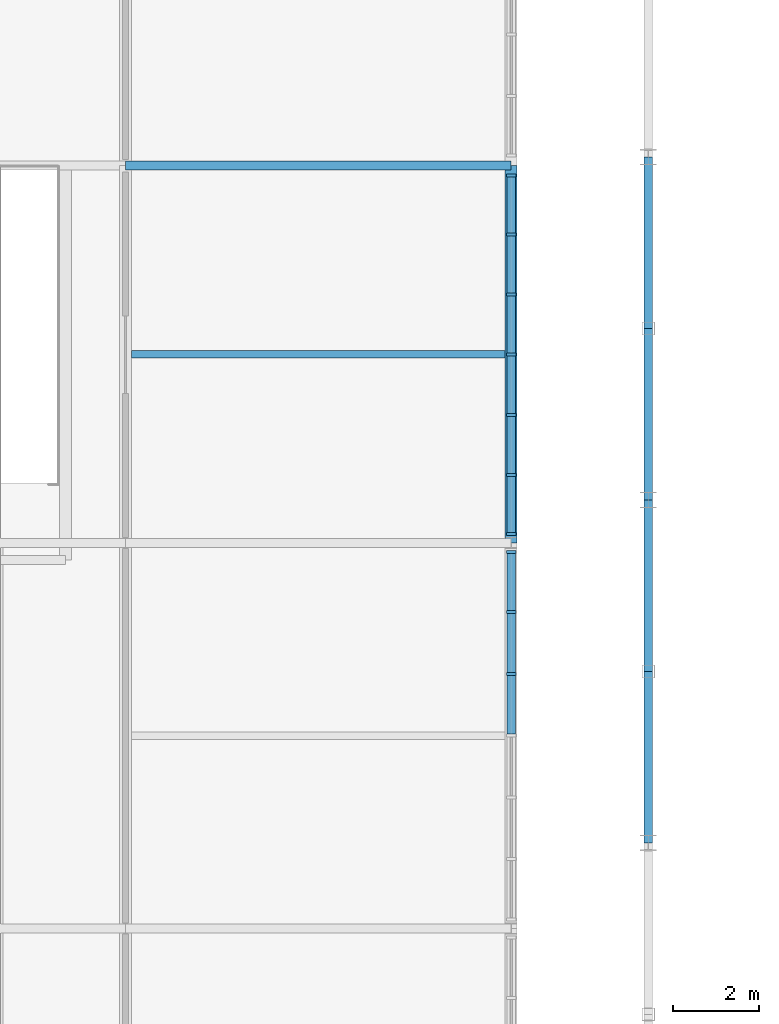
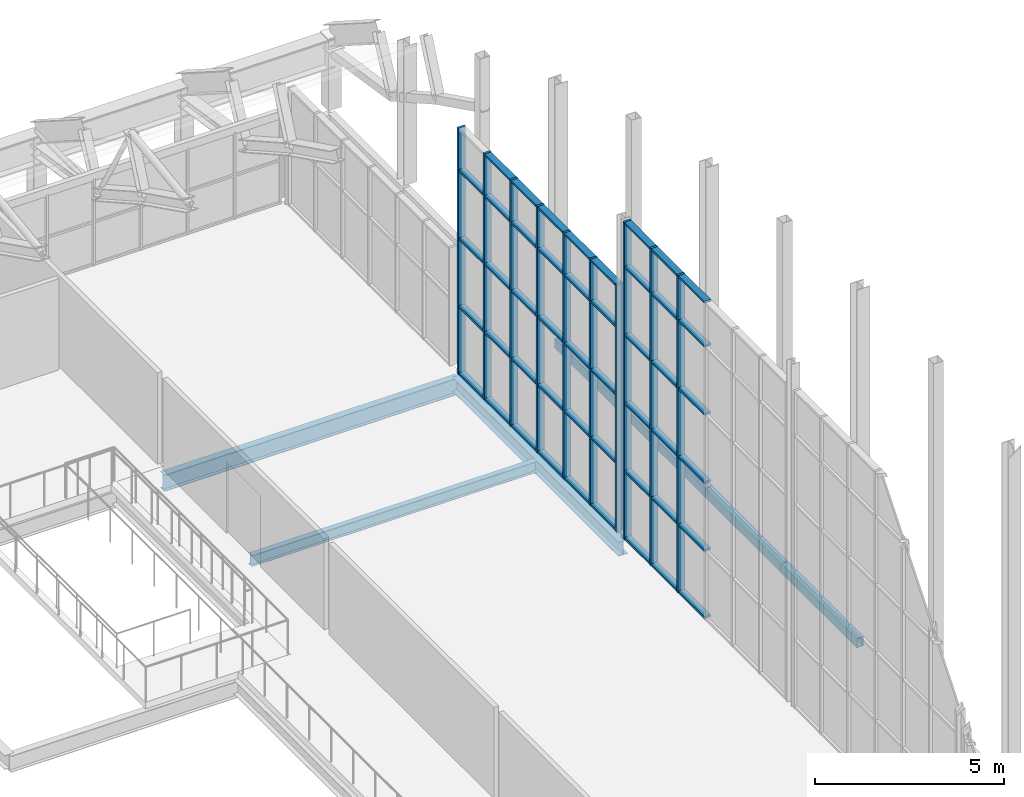
# One storey, part 87 of 134: 57 members, 7 beams, 2 elements without a shape of their own.
"""IFC4 building model written with IfcOpenShell, lengths in metres."""

from ifc_helpers import new_model, si_unit, direction, frame, origin, origin_2d, place, context, subcontext, project, spatial, rectangle, hollow_rectangle, i_section, extrude, material, layer, layer_set, material_profile, profile_set, type_object, element, aggregate, save


model = new_model("IFC4")

# Units and contexts
model_context = context("Model", 3, precision=1e-05, world=origin(), true_north=direction((0.0, 1.0)))
body_context = subcontext(model_context, "Body", "Model", "MODEL_VIEW")
ifc_project = project(units=[si_unit("LENGTHUNIT", "METRE"), si_unit("AREAUNIT", "SQUARE_METRE"), si_unit("VOLUMEUNIT", "CUBIC_METRE"), si_unit("PLANEANGLEUNIT", "RADIAN"), si_unit("MASSUNIT", "GRAM", prefix="KILO")], contexts=[model_context])

# Site, building, storey
site_placement = place(None, origin())
site = spatial("IfcSite", under=ifc_project, at=site_placement, CompositionType="ELEMENT")
building_placement = place(site_placement, origin())
building = spatial("IfcBuilding", under=site, at=building_placement, Name="Cazmaro Siding Exhibition Halls", CompositionType="ELEMENT")
storey_placement = place(building_placement, frame((0.0, 0.0, 12.0)))
storey = spatial("IfcBuildingStorey", under=building, at=storey_placement, Name="L02", CompositionType="ELEMENT", Elevation=12.0)

# Beams
ifc_material_1 = material(Name="Steel ASTM A992 Grade 50", Category="steel")
ifc_material_profile_1 = material_profile(ifc_material_1, i_section(OverallWidth=0.2099609375, OverallDepth=0.535888671875, WebThickness=0.010986328125, FlangeThickness=0.01708984375, at=origin_2d()), Name="W21X68")
ifc_profile_set_1 = profile_set([ifc_material_profile_1], Name="Steel ASTM A992 Grade 50")
beam_type_1 = type_object("IfcBeamType", Name="B-02", PredefinedType="BEAM", material=ifc_profile_set_1)
beam_1_placement = place(storey_placement, frame((158.800048828125, 111.800048828125, -0.488037109375), z_axis=(1.0, 0.0, 0.0), x_axis=(0.0, 1.0, 0.0)))
element("IfcBeam", 1, at=beam_1_placement, inside=storey, type_object=beam_type_1, Name="Beam B-02 BM-0434", PredefinedType="BEAM", context=body_context, shape_type="SweptSolid", body=[
    extrude(i_section(OverallWidth=0.2099609375, OverallDepth=0.535888671875, WebThickness=0.010986328125, FlangeThickness=0.01708984375, at=origin_2d()), origin(), (0.0, 0.0, 1.0), 9.0),
])
ifc_material_2 = material(Name="Steel ASTM A992 Grade 50", Category="steel")
ifc_material_profile_2 = material_profile(ifc_material_2, i_section(OverallWidth=0.279052734375, OverallDepth=0.4619140625, WebThickness=0.010986328125, FlangeThickness=0.01708984375, at=origin_2d()), Name="W18X76")
ifc_profile_set_2 = profile_set([ifc_material_profile_2], Name="Steel ASTM A992 Grade 50")
beam_type_2 = type_object("IfcBeamType", Name="B-03", PredefinedType="BEAM", material=ifc_profile_set_2)
beam_2_placement = place(storey_placement, frame((167.800048828125, 103.0, -0.450927734375), z_axis=(0.0, 1.0, 0.0), x_axis=(-1.0, 0.0, 0.0)))
element("IfcBeam", 2, at=beam_2_placement, inside=storey, type_object=beam_type_2, Name="Beam B-03 BM-0529", PredefinedType="BEAM", context=body_context, shape_type="SweptSolid", body=[
    extrude(i_section(OverallWidth=0.279052734375, OverallDepth=0.4619140625, WebThickness=0.010986328125, FlangeThickness=0.01708984375, at=origin_2d()), origin(), (0.0, 0.0, 1.0), 8.800048828125),
])

# Curtain wall, members
ifc_material_3 = material(Name="Anodized Bronze Aluminum and Solar-Control Low-E Glazing", Category="aluminium")
ifc_layer = layer(ifc_material_3, 0.219970703125)
ifc_layer_set = layer_set([ifc_layer], Name="Anodized Bronze Aluminum and Solar-Control Low-E Glazing")
curtain_wall_type = type_object("IfcCurtainWallType", Name="CWS-03", PredefinedType="USERDEFINED", material=ifc_layer_set)
curtain_wall_1_placement = place(storey_placement, origin())
curtain_wall_1 = element("IfcCurtainWall", 3, at=curtain_wall_1_placement, inside=storey, type_object=curtain_wall_type, Name="Glazed Curtain Wall CWS-03 CW-073", ObjectType="GLAZED CURTAIN WALL", PredefinedType="USERDEFINED")
ifc_material_4 = material(Name="Anodized Bronze Extruded Aluminum", Category="aluminium")
ifc_material_profile_3 = material_profile(ifc_material_4, rectangle(XDim=0.219970703125, YDim=0.070068359375, at=origin_2d()), Name="CWM-03")
ifc_profile_set_3 = profile_set([ifc_material_profile_3], Name="Anodized Bronze Extruded Aluminum")
member_type_1 = type_object("IfcMemberType", Name="CWM-03", PredefinedType="MULLION", material=ifc_profile_set_3)
member_1_placement = place(storey_placement, frame((167.800048828125, 99.94091796875, 0.0), z_axis=(0.0, 0.0, 1.0), x_axis=(-1.0, 0.0, 0.0)))
member_1 = element("IfcMember", 4, at=member_1_placement, type_object=member_type_1, Name="CWS-03 mullion 5", PredefinedType="MULLION", context=body_context, shape_type="SweptSolid", body=[
    extrude(rectangle(XDim=0.219970703125, YDim=0.070068359375, at=origin_2d()), origin(), (0.0, 0.0, 1.0), 10.258056640625),
])
member_2_placement = place(storey_placement, frame((167.800048828125, 101.382080078125, 0.0), z_axis=(0.0, 0.0, 1.0), x_axis=(-1.0, 0.0, 0.0)))
member_2 = element("IfcMember", 5, at=member_2_placement, type_object=member_type_1, Name="CWS-03 mullion 6", PredefinedType="MULLION", context=body_context, shape_type="SweptSolid", body=[
    extrude(rectangle(XDim=0.219970703125, YDim=0.070068359375, at=origin_2d()), origin(), (0.0, 0.0, 1.0), 10.258056640625),
])
member_3_placement = place(storey_placement, frame((167.800048828125, 102.7880859375, 0.0), z_axis=(0.0, 0.0, 1.0), x_axis=(-1.0, 0.0, 0.0)))
member_3 = element("IfcMember", 6, at=member_3_placement, type_object=member_type_1, Name="CWS-03 mullion 7", PredefinedType="MULLION", context=body_context, shape_type="SweptSolid", body=[
    extrude(rectangle(XDim=0.219970703125, YDim=0.070068359375, at=origin_2d()), origin(), (0.0, 0.0, 1.0), 10.258056640625),
])

curtain_wall_2_placement = place(storey_placement, origin())
curtain_wall_2 = element("IfcCurtainWall", 7, at=curtain_wall_2_placement, inside=storey, type_object=curtain_wall_type, Name="Glazed Curtain Wall CWS-03 CW-076", ObjectType="GLAZED CURTAIN WALL", PredefinedType="USERDEFINED")
member_4_placement = place(storey_placement, frame((167.800048828125, 103.2119140625, 0.0), z_axis=(0.0, 0.0, 1.0), x_axis=(-1.0, 0.0, 0.0)))
member_4 = element("IfcMember", 8, at=member_4_placement, type_object=member_type_1, Name="CWS-03 mullion 1", PredefinedType="MULLION", context=body_context, shape_type="SweptSolid", body=[
    extrude(rectangle(XDim=0.219970703125, YDim=0.070068359375, at=origin_2d()), origin(), (0.0, 0.0, 1.0), 7.972900390625),
])
member_5_placement = place(storey_placement, frame((167.800048828125, 104.5810546875, 0.0), z_axis=(0.0, 0.0, 1.0), x_axis=(-1.0, 0.0, 0.0)))
member_5 = element("IfcMember", 9, at=member_5_placement, type_object=member_type_1, Name="CWS-03 mullion 2", PredefinedType="MULLION", context=body_context, shape_type="SweptSolid", body=[
    extrude(rectangle(XDim=0.219970703125, YDim=0.070068359375, at=origin_2d()), origin(), (0.0, 0.0, 1.0), 7.972900390625),
])
member_6_placement = place(storey_placement, frame((167.800048828125, 105.9853515625, 0.0), z_axis=(0.0, 0.0, 1.0), x_axis=(-1.0, 0.0, 0.0)))
member_6 = element("IfcMember", 10, at=member_6_placement, type_object=member_type_1, Name="CWS-03 mullion 3", PredefinedType="MULLION", context=body_context, shape_type="SweptSolid", body=[
    extrude(rectangle(XDim=0.219970703125, YDim=0.070068359375, at=origin_2d()), origin(), (0.0, 0.0, 1.0), 7.972900390625),
])
member_7_placement = place(storey_placement, frame((167.800048828125, 107.389404296875, 0.0), z_axis=(0.0, 0.0, 1.0), x_axis=(-1.0, 0.0, 0.0)))
member_7 = element("IfcMember", 11, at=member_7_placement, type_object=member_type_1, Name="CWS-03 mullion 4", PredefinedType="MULLION", context=body_context, shape_type="SweptSolid", body=[
    extrude(rectangle(XDim=0.219970703125, YDim=0.070068359375, at=origin_2d()), origin(), (0.0, 0.0, 1.0), 7.972900390625),
])
member_8_placement = place(storey_placement, frame((167.800048828125, 108.793701171875, 0.0), z_axis=(0.0, 0.0, 1.0), x_axis=(-1.0, 0.0, 0.0)))
member_8 = element("IfcMember", 12, at=member_8_placement, type_object=member_type_1, Name="CWS-03 mullion 5", PredefinedType="MULLION", context=body_context, shape_type="SweptSolid", body=[
    extrude(rectangle(XDim=0.219970703125, YDim=0.070068359375, at=origin_2d()), origin(), (0.0, 0.0, 1.0), 7.972900390625),
])
member_9_placement = place(storey_placement, frame((167.800048828125, 110.19775390625, 0.0), z_axis=(0.0, 0.0, 1.0), x_axis=(-1.0, 0.0, 0.0)))
member_9 = element("IfcMember", 13, at=member_9_placement, type_object=member_type_1, Name="CWS-03 mullion 6", PredefinedType="MULLION", context=body_context, shape_type="SweptSolid", body=[
    extrude(rectangle(XDim=0.219970703125, YDim=0.070068359375, at=origin_2d()), origin(), (0.0, 0.0, 1.0), 7.972900390625),
])
member_10_placement = place(storey_placement, frame((167.800048828125, 111.56689453125, 0.0), z_axis=(0.0, 0.0, 1.0), x_axis=(-1.0, 0.0, 0.0)))
member_10 = element("IfcMember", 14, at=member_10_placement, type_object=member_type_1, Name="CWS-03 mullion 7", PredefinedType="MULLION", context=body_context, shape_type="SweptSolid", body=[
    extrude(rectangle(XDim=0.219970703125, YDim=0.070068359375, at=origin_2d()), origin(), (0.0, 0.0, 1.0), 7.972900390625),
])

# Member
ifc_material_5 = material(Name="Anodized Bronze Extruded Aluminum", Category="aluminium")
ifc_material_profile_4 = material_profile(ifc_material_5, rectangle(XDim=0.199951171875, YDim=0.070068359375, at=origin_2d()), Name="CWT-03")
ifc_profile_set_4 = profile_set([ifc_material_profile_4], Name="Anodized Bronze Extruded Aluminum")
member_type_2 = type_object("IfcMemberType", Name="CWT-03", PredefinedType="MULLION", material=ifc_profile_set_4)
member_11_placement = place(storey_placement, frame((167.800048828125, 98.534912109375, 0.034912109375), z_axis=(0.0, 1.0, 0.0), x_axis=(-1.0, 0.0, 0.0)))
member_11 = element("IfcMember", 15, at=member_11_placement, type_object=member_type_2, Name="CWS-03 transom 4.1", ObjectType="TRANSOM", PredefinedType="USERDEFINED", context=body_context, shape_type="SweptSolid", body=[
    extrude(rectangle(XDim=0.199951171875, YDim=0.070068359375, at=origin_2d()), origin(), (0.0, 0.0, 1.0), 1.37109375),
])

member_12_placement = place(storey_placement, frame((167.800048828125, 98.534912109375, 2.199951171875), z_axis=(0.0, 1.0, 0.0), x_axis=(-1.0, 0.0, 0.0)))
member_12 = element("IfcMember", 16, at=member_12_placement, type_object=member_type_2, Name="CWS-03 transom 4.2", ObjectType="TRANSOM", PredefinedType="USERDEFINED", context=body_context, shape_type="SweptSolid", body=[
    extrude(rectangle(XDim=0.199951171875, YDim=0.070068359375, at=origin_2d()), origin(), (0.0, 0.0, 1.0), 1.37109375),
])

member_13_placement = place(storey_placement, frame((167.800048828125, 98.534912109375, 4.39990234375), z_axis=(0.0, 1.0, 0.0), x_axis=(-1.0, 0.0, 0.0)))
member_13 = element("IfcMember", 17, at=member_13_placement, type_object=member_type_2, Name="CWS-03 transom 4.3", ObjectType="TRANSOM", PredefinedType="USERDEFINED", context=body_context, shape_type="SweptSolid", body=[
    extrude(rectangle(XDim=0.199951171875, YDim=0.070068359375, at=origin_2d()), origin(), (0.0, 0.0, 1.0), 1.37109375),
])

member_14_placement = place(storey_placement, frame((167.800048828125, 98.534912109375, 6.60009765625), z_axis=(0.0, 1.0, 0.0), x_axis=(-1.0, 0.0, 0.0)))
member_14 = element("IfcMember", 18, at=member_14_placement, type_object=member_type_2, Name="CWS-03 transom 4.4", ObjectType="TRANSOM", PredefinedType="USERDEFINED", context=body_context, shape_type="SweptSolid", body=[
    extrude(rectangle(XDim=0.199951171875, YDim=0.070068359375, at=origin_2d()), origin(), (0.0, 0.0, 1.0), 1.37109375),
])

member_15_placement = place(storey_placement, frame((167.800048828125, 98.534912109375, 8.800048828125), z_axis=(0.0, 1.0, 0.0), x_axis=(-1.0, 0.0, 0.0)))
member_15 = element("IfcMember", 19, at=member_15_placement, type_object=member_type_2, Name="CWS-03 transom 4.5", ObjectType="TRANSOM", PredefinedType="USERDEFINED", context=body_context, shape_type="SweptSolid", body=[
    extrude(rectangle(XDim=0.199951171875, YDim=0.070068359375, at=origin_2d()), origin(), (0.0, 0.0, 1.0), 1.37109375),
])

member_16_placement = place(storey_placement, frame((167.800048828125, 98.534912109375, 10.222900390625), z_axis=(0.0, 1.0, 0.0), x_axis=(-1.0, 0.0, 0.0)))
member_16 = element("IfcMember", 20, at=member_16_placement, type_object=member_type_2, Name="CWS-03 transom 4.6", ObjectType="TRANSOM", PredefinedType="USERDEFINED", context=body_context, shape_type="SweptSolid", body=[
    extrude(rectangle(XDim=0.199951171875, YDim=0.070068359375, at=origin_2d()), origin(), (0.0, 0.0, 1.0), 1.37109375),
])

member_17_placement = place(storey_placement, frame((167.800048828125, 99.97607421875, 0.034912109375), z_axis=(0.0, 1.0, 0.0), x_axis=(-1.0, 0.0, 0.0)))
member_17 = element("IfcMember", 21, at=member_17_placement, type_object=member_type_2, Name="CWS-03 transom 5.1", ObjectType="TRANSOM", PredefinedType="USERDEFINED", context=body_context, shape_type="SweptSolid", body=[
    extrude(rectangle(XDim=0.199951171875, YDim=0.070068359375, at=origin_2d()), origin(), (0.0, 0.0, 1.0), 1.370849609375),
])

member_18_placement = place(storey_placement, frame((167.800048828125, 99.97607421875, 2.199951171875), z_axis=(0.0, 1.0, 0.0), x_axis=(-1.0, 0.0, 0.0)))
member_18 = element("IfcMember", 22, at=member_18_placement, type_object=member_type_2, Name="CWS-03 transom 5.2", ObjectType="TRANSOM", PredefinedType="USERDEFINED", context=body_context, shape_type="SweptSolid", body=[
    extrude(rectangle(XDim=0.199951171875, YDim=0.070068359375, at=origin_2d()), origin(), (0.0, 0.0, 1.0), 1.370849609375),
])

member_19_placement = place(storey_placement, frame((167.800048828125, 99.97607421875, 4.39990234375), z_axis=(0.0, 1.0, 0.0), x_axis=(-1.0, 0.0, 0.0)))
member_19 = element("IfcMember", 23, at=member_19_placement, type_object=member_type_2, Name="CWS-03 transom 5.3", ObjectType="TRANSOM", PredefinedType="USERDEFINED", context=body_context, shape_type="SweptSolid", body=[
    extrude(rectangle(XDim=0.199951171875, YDim=0.070068359375, at=origin_2d()), origin(), (0.0, 0.0, 1.0), 1.370849609375),
])

member_20_placement = place(storey_placement, frame((167.800048828125, 99.97607421875, 6.60009765625), z_axis=(0.0, 1.0, 0.0), x_axis=(-1.0, 0.0, 0.0)))
member_20 = element("IfcMember", 24, at=member_20_placement, type_object=member_type_2, Name="CWS-03 transom 5.4", ObjectType="TRANSOM", PredefinedType="USERDEFINED", context=body_context, shape_type="SweptSolid", body=[
    extrude(rectangle(XDim=0.199951171875, YDim=0.070068359375, at=origin_2d()), origin(), (0.0, 0.0, 1.0), 1.370849609375),
])

member_21_placement = place(storey_placement, frame((167.800048828125, 99.97607421875, 8.800048828125), z_axis=(0.0, 1.0, 0.0), x_axis=(-1.0, 0.0, 0.0)))
member_21 = element("IfcMember", 25, at=member_21_placement, type_object=member_type_2, Name="CWS-03 transom 5.5", ObjectType="TRANSOM", PredefinedType="USERDEFINED", context=body_context, shape_type="SweptSolid", body=[
    extrude(rectangle(XDim=0.199951171875, YDim=0.070068359375, at=origin_2d()), origin(), (0.0, 0.0, 1.0), 1.370849609375),
])

member_22_placement = place(storey_placement, frame((167.800048828125, 99.97607421875, 10.222900390625), z_axis=(0.0, 1.0, 0.0), x_axis=(-1.0, 0.0, 0.0)))
member_22 = element("IfcMember", 26, at=member_22_placement, type_object=member_type_2, Name="CWS-03 transom 5.6", ObjectType="TRANSOM", PredefinedType="USERDEFINED", context=body_context, shape_type="SweptSolid", body=[
    extrude(rectangle(XDim=0.199951171875, YDim=0.070068359375, at=origin_2d()), origin(), (0.0, 0.0, 1.0), 1.370849609375),
])

member_23_placement = place(storey_placement, frame((167.800048828125, 101.4169921875, 0.034912109375), z_axis=(0.0, 1.0, 0.0), x_axis=(-1.0, 0.0, 0.0)))
member_23 = element("IfcMember", 27, at=member_23_placement, type_object=member_type_2, Name="CWS-03 transom 6.1", ObjectType="TRANSOM", PredefinedType="USERDEFINED", context=body_context, shape_type="SweptSolid", body=[
    extrude(rectangle(XDim=0.199951171875, YDim=0.070068359375, at=origin_2d()), origin(), (0.0, 0.0, 1.0), 1.3359375),
])

member_24_placement = place(storey_placement, frame((167.800048828125, 101.4169921875, 2.199951171875), z_axis=(0.0, 1.0, 0.0), x_axis=(-1.0, 0.0, 0.0)))
member_24 = element("IfcMember", 28, at=member_24_placement, type_object=member_type_2, Name="CWS-03 transom 6.2", ObjectType="TRANSOM", PredefinedType="USERDEFINED", context=body_context, shape_type="SweptSolid", body=[
    extrude(rectangle(XDim=0.199951171875, YDim=0.070068359375, at=origin_2d()), origin(), (0.0, 0.0, 1.0), 1.3359375),
])

member_25_placement = place(storey_placement, frame((167.800048828125, 101.4169921875, 4.39990234375), z_axis=(0.0, 1.0, 0.0), x_axis=(-1.0, 0.0, 0.0)))
member_25 = element("IfcMember", 29, at=member_25_placement, type_object=member_type_2, Name="CWS-03 transom 6.3", ObjectType="TRANSOM", PredefinedType="USERDEFINED", context=body_context, shape_type="SweptSolid", body=[
    extrude(rectangle(XDim=0.199951171875, YDim=0.070068359375, at=origin_2d()), origin(), (0.0, 0.0, 1.0), 1.3359375),
])

member_26_placement = place(storey_placement, frame((167.800048828125, 101.4169921875, 6.60009765625), z_axis=(0.0, 1.0, 0.0), x_axis=(-1.0, 0.0, 0.0)))
member_26 = element("IfcMember", 30, at=member_26_placement, type_object=member_type_2, Name="CWS-03 transom 6.4", ObjectType="TRANSOM", PredefinedType="USERDEFINED", context=body_context, shape_type="SweptSolid", body=[
    extrude(rectangle(XDim=0.199951171875, YDim=0.070068359375, at=origin_2d()), origin(), (0.0, 0.0, 1.0), 1.3359375),
])

member_27_placement = place(storey_placement, frame((167.800048828125, 101.4169921875, 8.800048828125), z_axis=(0.0, 1.0, 0.0), x_axis=(-1.0, 0.0, 0.0)))
member_27 = element("IfcMember", 31, at=member_27_placement, type_object=member_type_2, Name="CWS-03 transom 6.5", ObjectType="TRANSOM", PredefinedType="USERDEFINED", context=body_context, shape_type="SweptSolid", body=[
    extrude(rectangle(XDim=0.199951171875, YDim=0.070068359375, at=origin_2d()), origin(), (0.0, 0.0, 1.0), 1.3359375),
])

member_28_placement = place(storey_placement, frame((167.800048828125, 101.4169921875, 10.222900390625), z_axis=(0.0, 1.0, 0.0), x_axis=(-1.0, 0.0, 0.0)))
member_28 = element("IfcMember", 32, at=member_28_placement, type_object=member_type_2, Name="CWS-03 transom 6.6", ObjectType="TRANSOM", PredefinedType="USERDEFINED", context=body_context, shape_type="SweptSolid", body=[
    extrude(rectangle(XDim=0.199951171875, YDim=0.070068359375, at=origin_2d()), origin(), (0.0, 0.0, 1.0), 1.3359375),
])

aggregate(curtain_wall_1, [member_1, member_2, member_3, member_11, member_12, member_13, member_14, member_15, member_16, member_17, member_18, member_19, member_20, member_21, member_22, member_23, member_24, member_25, member_26, member_27, member_28])

member_29_placement = place(storey_placement, frame((167.800048828125, 103.2470703125, 0.034912109375), z_axis=(0.0, 1.0, 0.0), x_axis=(-1.0, 0.0, 0.0)))
member_29 = element("IfcMember", 33, at=member_29_placement, type_object=member_type_2, Name="CWS-03 transom 1.1", ObjectType="TRANSOM", PredefinedType="USERDEFINED", context=body_context, shape_type="SweptSolid", body=[
    extrude(rectangle(XDim=0.199951171875, YDim=0.070068359375, at=origin_2d()), origin(), (0.0, 0.0, 1.0), 1.299072265625),
])

member_30_placement = place(storey_placement, frame((167.800048828125, 103.2470703125, 2.199951171875), z_axis=(0.0, 1.0, 0.0), x_axis=(-1.0, 0.0, 0.0)))
member_30 = element("IfcMember", 34, at=member_30_placement, type_object=member_type_2, Name="CWS-03 transom 1.2", ObjectType="TRANSOM", PredefinedType="USERDEFINED", context=body_context, shape_type="SweptSolid", body=[
    extrude(rectangle(XDim=0.199951171875, YDim=0.070068359375, at=origin_2d()), origin(), (0.0, 0.0, 1.0), 1.299072265625),
])

member_31_placement = place(storey_placement, frame((167.800048828125, 103.2470703125, 4.39990234375), z_axis=(0.0, 1.0, 0.0), x_axis=(-1.0, 0.0, 0.0)))
member_31 = element("IfcMember", 35, at=member_31_placement, type_object=member_type_2, Name="CWS-03 transom 1.3", ObjectType="TRANSOM", PredefinedType="USERDEFINED", context=body_context, shape_type="SweptSolid", body=[
    extrude(rectangle(XDim=0.199951171875, YDim=0.070068359375, at=origin_2d()), origin(), (0.0, 0.0, 1.0), 1.299072265625),
])

member_32_placement = place(storey_placement, frame((167.800048828125, 103.2470703125, 6.60009765625), z_axis=(0.0, 1.0, 0.0), x_axis=(-1.0, 0.0, 0.0)))
member_32 = element("IfcMember", 36, at=member_32_placement, type_object=member_type_2, Name="CWS-03 transom 1.4", ObjectType="TRANSOM", PredefinedType="USERDEFINED", context=body_context, shape_type="SweptSolid", body=[
    extrude(rectangle(XDim=0.199951171875, YDim=0.070068359375, at=origin_2d()), origin(), (0.0, 0.0, 1.0), 1.299072265625),
])

member_33_placement = place(storey_placement, frame((167.800048828125, 103.2470703125, 7.93798828125), z_axis=(0.0, 1.0, 0.0), x_axis=(-1.0, 0.0, 0.0)))
member_33 = element("IfcMember", 37, at=member_33_placement, type_object=member_type_2, Name="CWS-03 transom 1.5", ObjectType="TRANSOM", PredefinedType="USERDEFINED", context=body_context, shape_type="SweptSolid", body=[
    extrude(rectangle(XDim=0.199951171875, YDim=0.070068359375, at=origin_2d()), origin(), (0.0, 0.0, 1.0), 1.299072265625),
])

member_34_placement = place(storey_placement, frame((167.800048828125, 104.6162109375, 0.034912109375), z_axis=(0.0, 1.0, 0.0), x_axis=(-1.0, 0.0, 0.0)))
member_34 = element("IfcMember", 38, at=member_34_placement, type_object=member_type_2, Name="CWS-03 transom 2.1", ObjectType="TRANSOM", PredefinedType="USERDEFINED", context=body_context, shape_type="SweptSolid", body=[
    extrude(rectangle(XDim=0.199951171875, YDim=0.070068359375, at=origin_2d()), origin(), (0.0, 0.0, 1.0), 1.334228515625),
])

member_35_placement = place(storey_placement, frame((167.800048828125, 104.6162109375, 2.199951171875), z_axis=(0.0, 1.0, 0.0), x_axis=(-1.0, 0.0, 0.0)))
member_35 = element("IfcMember", 39, at=member_35_placement, type_object=member_type_2, Name="CWS-03 transom 2.2", ObjectType="TRANSOM", PredefinedType="USERDEFINED", context=body_context, shape_type="SweptSolid", body=[
    extrude(rectangle(XDim=0.199951171875, YDim=0.070068359375, at=origin_2d()), origin(), (0.0, 0.0, 1.0), 1.334228515625),
])

member_36_placement = place(storey_placement, frame((167.800048828125, 104.6162109375, 4.39990234375), z_axis=(0.0, 1.0, 0.0), x_axis=(-1.0, 0.0, 0.0)))
member_36 = element("IfcMember", 40, at=member_36_placement, type_object=member_type_2, Name="CWS-03 transom 2.3", ObjectType="TRANSOM", PredefinedType="USERDEFINED", context=body_context, shape_type="SweptSolid", body=[
    extrude(rectangle(XDim=0.199951171875, YDim=0.070068359375, at=origin_2d()), origin(), (0.0, 0.0, 1.0), 1.334228515625),
])

member_37_placement = place(storey_placement, frame((167.800048828125, 104.6162109375, 6.60009765625), z_axis=(0.0, 1.0, 0.0), x_axis=(-1.0, 0.0, 0.0)))
member_37 = element("IfcMember", 41, at=member_37_placement, type_object=member_type_2, Name="CWS-03 transom 2.4", ObjectType="TRANSOM", PredefinedType="USERDEFINED", context=body_context, shape_type="SweptSolid", body=[
    extrude(rectangle(XDim=0.199951171875, YDim=0.070068359375, at=origin_2d()), origin(), (0.0, 0.0, 1.0), 1.334228515625),
])

member_38_placement = place(storey_placement, frame((167.800048828125, 104.6162109375, 7.93798828125), z_axis=(0.0, 1.0, 0.0), x_axis=(-1.0, 0.0, 0.0)))
member_38 = element("IfcMember", 42, at=member_38_placement, type_object=member_type_2, Name="CWS-03 transom 2.5", ObjectType="TRANSOM", PredefinedType="USERDEFINED", context=body_context, shape_type="SweptSolid", body=[
    extrude(rectangle(XDim=0.199951171875, YDim=0.070068359375, at=origin_2d()), origin(), (0.0, 0.0, 1.0), 1.334228515625),
])

member_39_placement = place(storey_placement, frame((167.800048828125, 106.020263671875, 0.034912109375), z_axis=(0.0, 1.0, 0.0), x_axis=(-1.0, 0.0, 0.0)))
member_39 = element("IfcMember", 43, at=member_39_placement, type_object=member_type_2, Name="CWS-03 transom 3.1", ObjectType="TRANSOM", PredefinedType="USERDEFINED", context=body_context, shape_type="SweptSolid", body=[
    extrude(rectangle(XDim=0.199951171875, YDim=0.070068359375, at=origin_2d()), origin(), (0.0, 0.0, 1.0), 1.334228515625),
])

member_40_placement = place(storey_placement, frame((167.800048828125, 106.020263671875, 2.199951171875), z_axis=(0.0, 1.0, 0.0), x_axis=(-1.0, 0.0, 0.0)))
member_40 = element("IfcMember", 44, at=member_40_placement, type_object=member_type_2, Name="CWS-03 transom 3.2", ObjectType="TRANSOM", PredefinedType="USERDEFINED", context=body_context, shape_type="SweptSolid", body=[
    extrude(rectangle(XDim=0.199951171875, YDim=0.070068359375, at=origin_2d()), origin(), (0.0, 0.0, 1.0), 1.334228515625),
])

member_41_placement = place(storey_placement, frame((167.800048828125, 106.020263671875, 4.39990234375), z_axis=(0.0, 1.0, 0.0), x_axis=(-1.0, 0.0, 0.0)))
member_41 = element("IfcMember", 45, at=member_41_placement, type_object=member_type_2, Name="CWS-03 transom 3.3", ObjectType="TRANSOM", PredefinedType="USERDEFINED", context=body_context, shape_type="SweptSolid", body=[
    extrude(rectangle(XDim=0.199951171875, YDim=0.070068359375, at=origin_2d()), origin(), (0.0, 0.0, 1.0), 1.334228515625),
])

member_42_placement = place(storey_placement, frame((167.800048828125, 106.020263671875, 6.60009765625), z_axis=(0.0, 1.0, 0.0), x_axis=(-1.0, 0.0, 0.0)))
member_42 = element("IfcMember", 46, at=member_42_placement, type_object=member_type_2, Name="CWS-03 transom 3.4", ObjectType="TRANSOM", PredefinedType="USERDEFINED", context=body_context, shape_type="SweptSolid", body=[
    extrude(rectangle(XDim=0.199951171875, YDim=0.070068359375, at=origin_2d()), origin(), (0.0, 0.0, 1.0), 1.334228515625),
])

member_43_placement = place(storey_placement, frame((167.800048828125, 106.020263671875, 7.93798828125), z_axis=(0.0, 1.0, 0.0), x_axis=(-1.0, 0.0, 0.0)))
member_43 = element("IfcMember", 47, at=member_43_placement, type_object=member_type_2, Name="CWS-03 transom 3.5", ObjectType="TRANSOM", PredefinedType="USERDEFINED", context=body_context, shape_type="SweptSolid", body=[
    extrude(rectangle(XDim=0.199951171875, YDim=0.070068359375, at=origin_2d()), origin(), (0.0, 0.0, 1.0), 1.334228515625),
])

member_44_placement = place(storey_placement, frame((167.800048828125, 107.424560546875, 0.034912109375), z_axis=(0.0, 1.0, 0.0), x_axis=(-1.0, 0.0, 0.0)))
member_44 = element("IfcMember", 48, at=member_44_placement, type_object=member_type_2, Name="CWS-03 transom 4.1", ObjectType="TRANSOM", PredefinedType="USERDEFINED", context=body_context, shape_type="SweptSolid", body=[
    extrude(rectangle(XDim=0.199951171875, YDim=0.070068359375, at=origin_2d()), origin(), (0.0, 0.0, 1.0), 1.333984375),
])

member_45_placement = place(storey_placement, frame((167.800048828125, 107.424560546875, 2.199951171875), z_axis=(0.0, 1.0, 0.0), x_axis=(-1.0, 0.0, 0.0)))
member_45 = element("IfcMember", 49, at=member_45_placement, type_object=member_type_2, Name="CWS-03 transom 4.2", ObjectType="TRANSOM", PredefinedType="USERDEFINED", context=body_context, shape_type="SweptSolid", body=[
    extrude(rectangle(XDim=0.199951171875, YDim=0.070068359375, at=origin_2d()), origin(), (0.0, 0.0, 1.0), 1.333984375),
])

member_46_placement = place(storey_placement, frame((167.800048828125, 107.424560546875, 4.39990234375), z_axis=(0.0, 1.0, 0.0), x_axis=(-1.0, 0.0, 0.0)))
member_46 = element("IfcMember", 50, at=member_46_placement, type_object=member_type_2, Name="CWS-03 transom 4.3", ObjectType="TRANSOM", PredefinedType="USERDEFINED", context=body_context, shape_type="SweptSolid", body=[
    extrude(rectangle(XDim=0.199951171875, YDim=0.070068359375, at=origin_2d()), origin(), (0.0, 0.0, 1.0), 1.333984375),
])

member_47_placement = place(storey_placement, frame((167.800048828125, 107.424560546875, 6.60009765625), z_axis=(0.0, 1.0, 0.0), x_axis=(-1.0, 0.0, 0.0)))
member_47 = element("IfcMember", 51, at=member_47_placement, type_object=member_type_2, Name="CWS-03 transom 4.4", ObjectType="TRANSOM", PredefinedType="USERDEFINED", context=body_context, shape_type="SweptSolid", body=[
    extrude(rectangle(XDim=0.199951171875, YDim=0.070068359375, at=origin_2d()), origin(), (0.0, 0.0, 1.0), 1.333984375),
])

member_48_placement = place(storey_placement, frame((167.800048828125, 107.424560546875, 7.93798828125), z_axis=(0.0, 1.0, 0.0), x_axis=(-1.0, 0.0, 0.0)))
member_48 = element("IfcMember", 52, at=member_48_placement, type_object=member_type_2, Name="CWS-03 transom 4.5", ObjectType="TRANSOM", PredefinedType="USERDEFINED", context=body_context, shape_type="SweptSolid", body=[
    extrude(rectangle(XDim=0.199951171875, YDim=0.070068359375, at=origin_2d()), origin(), (0.0, 0.0, 1.0), 1.333984375),
])

member_49_placement = place(storey_placement, frame((167.800048828125, 108.82861328125, 0.034912109375), z_axis=(0.0, 1.0, 0.0), x_axis=(-1.0, 0.0, 0.0)))
member_49 = element("IfcMember", 53, at=member_49_placement, type_object=member_type_2, Name="CWS-03 transom 5.1", ObjectType="TRANSOM", PredefinedType="USERDEFINED", context=body_context, shape_type="SweptSolid", body=[
    extrude(rectangle(XDim=0.199951171875, YDim=0.070068359375, at=origin_2d()), origin(), (0.0, 0.0, 1.0), 1.334228515625),
])

member_50_placement = place(storey_placement, frame((167.800048828125, 108.82861328125, 2.199951171875), z_axis=(0.0, 1.0, 0.0), x_axis=(-1.0, 0.0, 0.0)))
member_50 = element("IfcMember", 54, at=member_50_placement, type_object=member_type_2, Name="CWS-03 transom 5.2", ObjectType="TRANSOM", PredefinedType="USERDEFINED", context=body_context, shape_type="SweptSolid", body=[
    extrude(rectangle(XDim=0.199951171875, YDim=0.070068359375, at=origin_2d()), origin(), (0.0, 0.0, 1.0), 1.334228515625),
])

member_51_placement = place(storey_placement, frame((167.800048828125, 108.82861328125, 4.39990234375), z_axis=(0.0, 1.0, 0.0), x_axis=(-1.0, 0.0, 0.0)))
member_51 = element("IfcMember", 55, at=member_51_placement, type_object=member_type_2, Name="CWS-03 transom 5.3", ObjectType="TRANSOM", PredefinedType="USERDEFINED", context=body_context, shape_type="SweptSolid", body=[
    extrude(rectangle(XDim=0.199951171875, YDim=0.070068359375, at=origin_2d()), origin(), (0.0, 0.0, 1.0), 1.334228515625),
])

member_52_placement = place(storey_placement, frame((167.800048828125, 108.82861328125, 6.60009765625), z_axis=(0.0, 1.0, 0.0), x_axis=(-1.0, 0.0, 0.0)))
member_52 = element("IfcMember", 56, at=member_52_placement, type_object=member_type_2, Name="CWS-03 transom 5.4", ObjectType="TRANSOM", PredefinedType="USERDEFINED", context=body_context, shape_type="SweptSolid", body=[
    extrude(rectangle(XDim=0.199951171875, YDim=0.070068359375, at=origin_2d()), origin(), (0.0, 0.0, 1.0), 1.334228515625),
])

member_53_placement = place(storey_placement, frame((167.800048828125, 108.82861328125, 7.93798828125), z_axis=(0.0, 1.0, 0.0), x_axis=(-1.0, 0.0, 0.0)))
member_53 = element("IfcMember", 57, at=member_53_placement, type_object=member_type_2, Name="CWS-03 transom 5.5", ObjectType="TRANSOM", PredefinedType="USERDEFINED", context=body_context, shape_type="SweptSolid", body=[
    extrude(rectangle(XDim=0.199951171875, YDim=0.070068359375, at=origin_2d()), origin(), (0.0, 0.0, 1.0), 1.334228515625),
])

member_54_placement = place(storey_placement, frame((167.800048828125, 110.23291015625, 0.034912109375), z_axis=(0.0, 1.0, 0.0), x_axis=(-1.0, 0.0, 0.0)))
member_54 = element("IfcMember", 58, at=member_54_placement, type_object=member_type_2, Name="CWS-03 transom 6.1", ObjectType="TRANSOM", PredefinedType="USERDEFINED", context=body_context, shape_type="SweptSolid", body=[
    extrude(rectangle(XDim=0.199951171875, YDim=0.070068359375, at=origin_2d()), origin(), (0.0, 0.0, 1.0), 1.299072265625),
])

member_55_placement = place(storey_placement, frame((167.800048828125, 110.23291015625, 2.199951171875), z_axis=(0.0, 1.0, 0.0), x_axis=(-1.0, 0.0, 0.0)))
member_55 = element("IfcMember", 59, at=member_55_placement, type_object=member_type_2, Name="CWS-03 transom 6.2", ObjectType="TRANSOM", PredefinedType="USERDEFINED", context=body_context, shape_type="SweptSolid", body=[
    extrude(rectangle(XDim=0.199951171875, YDim=0.070068359375, at=origin_2d()), origin(), (0.0, 0.0, 1.0), 1.299072265625),
])

member_56_placement = place(storey_placement, frame((167.800048828125, 110.23291015625, 4.39990234375), z_axis=(0.0, 1.0, 0.0), x_axis=(-1.0, 0.0, 0.0)))
member_56 = element("IfcMember", 60, at=member_56_placement, type_object=member_type_2, Name="CWS-03 transom 6.3", ObjectType="TRANSOM", PredefinedType="USERDEFINED", context=body_context, shape_type="SweptSolid", body=[
    extrude(rectangle(XDim=0.199951171875, YDim=0.070068359375, at=origin_2d()), origin(), (0.0, 0.0, 1.0), 1.299072265625),
])

member_57_placement = place(storey_placement, frame((167.800048828125, 110.23291015625, 6.60009765625), z_axis=(0.0, 1.0, 0.0), x_axis=(-1.0, 0.0, 0.0)))
member_57 = element("IfcMember", 61, at=member_57_placement, type_object=member_type_2, Name="CWS-03 transom 6.4", ObjectType="TRANSOM", PredefinedType="USERDEFINED", context=body_context, shape_type="SweptSolid", body=[
    extrude(rectangle(XDim=0.199951171875, YDim=0.070068359375, at=origin_2d()), origin(), (0.0, 0.0, 1.0), 1.299072265625),
])

aggregate(curtain_wall_2, [member_4, member_5, member_6, member_7, member_8, member_9, member_10, member_29, member_30, member_31, member_32, member_33, member_34, member_35, member_36, member_37, member_38, member_39, member_40, member_41, member_42, member_43, member_44, member_45, member_46, member_47, member_48, member_49, member_50, member_51, member_52, member_53, member_54, member_55, member_56, member_57])

# Beams
ifc_material_6 = material(Name="Steel ASTM A992 Grade 50", Category="steel")
ifc_material_profile_5 = material_profile(ifc_material_6, i_section(OverallWidth=0.1708984375, OverallDepth=0.35595703125, WebThickness=0.007080078125, FlangeThickness=0.011962890625, at=origin_2d()), Name="W14X34")
ifc_profile_set_5 = profile_set([ifc_material_profile_5], Name="Steel ASTM A992 Grade 50")
beam_type_3 = type_object("IfcBeamType", Name="J-04", PredefinedType="JOIST", material=ifc_profile_set_5)
beam_3_placement = place(storey_placement, frame((158.93994140625, 107.39990234375, -0.39794921875), z_axis=(1.0, 0.0, 0.0), x_axis=(0.0, 1.0, 0.0)))
element("IfcBeam", 62, at=beam_3_placement, inside=storey, type_object=beam_type_3, Name="Beam J-04 BM-0530", PredefinedType="JOIST", context=body_context, shape_type="SweptSolid", body=[
    extrude(i_section(OverallWidth=0.1708984375, OverallDepth=0.35595703125, WebThickness=0.007080078125, FlangeThickness=0.011962890625, at=origin_2d()), origin(), (0.0, 0.0, 1.0), 8.719970703125),
])
ifc_material_7 = material(Name="Steel ASTM A500 Grade C", Category="steel")
ifc_material_profile_6 = material_profile(ifc_material_7, hollow_rectangle(XDim=0.202880859375, YDim=0.304931640625, WallThickness=0.011962890625, at=origin_2d()), Name="HSS12X8X1/2")
ifc_profile_set_6 = profile_set([ifc_material_profile_6], Name="Steel ASTM A500 Grade C")
beam_type_4 = type_object("IfcBeamType", Name="SP-01", PredefinedType="SPANDREL", material=ifc_profile_set_6)
for number, where, z_axis, x_axis, name in (
    (63, (171.0, 96.0, -0.373046875), (0.0, 1.0, 0.0), (-1.0, 0.0, 0.0), "Beam SP-01 BM-0048"),
    (64, (171.0, 100.0, -0.373046875), (0.0, 1.0, 0.0), (-1.0, 0.0, 0.0), "Beam SP-01 BM-0050"),
    (65, (171.0, 104.0, -0.373046875), (0.0, 1.0, 0.0), (-1.0, 0.0, 0.0), "Beam SP-01 BM-0052"),
    (66, (171.0, 108.0, -0.373046875), (0.0, 1.0, 0.0), (-1.0, 0.0, 0.0), "Beam SP-01 BM-0054"),
):
    element("IfcBeam", number, at=place(storey_placement, frame(where, z_axis=z_axis, x_axis=x_axis)), inside=storey, type_object=beam_type_4, Name=name, PredefinedType="SPANDREL", context=body_context, shape_type="SweptSolid", body=[
        extrude(hollow_rectangle(XDim=0.202880859375, YDim=0.304931640625, WallThickness=0.011962890625, at=origin_2d()), origin(), (0.0, 0.0, 1.0), 4.0),
    ])

save(model, "model.ifc")
